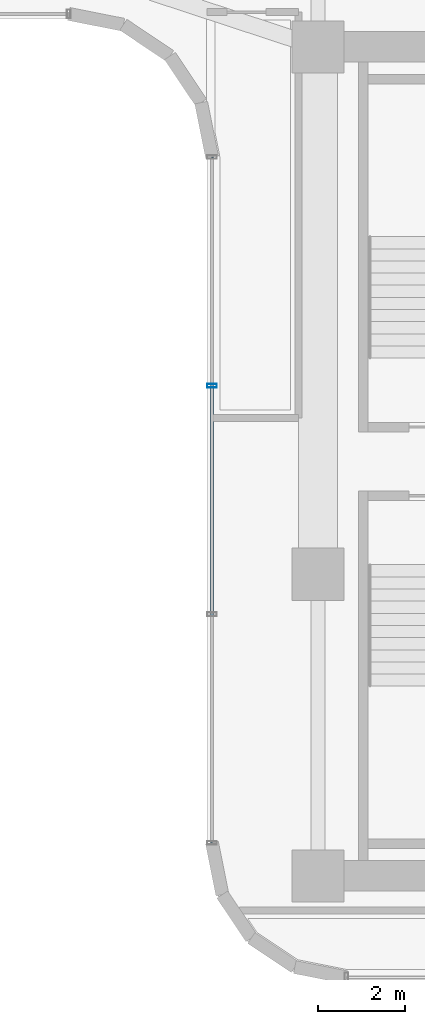
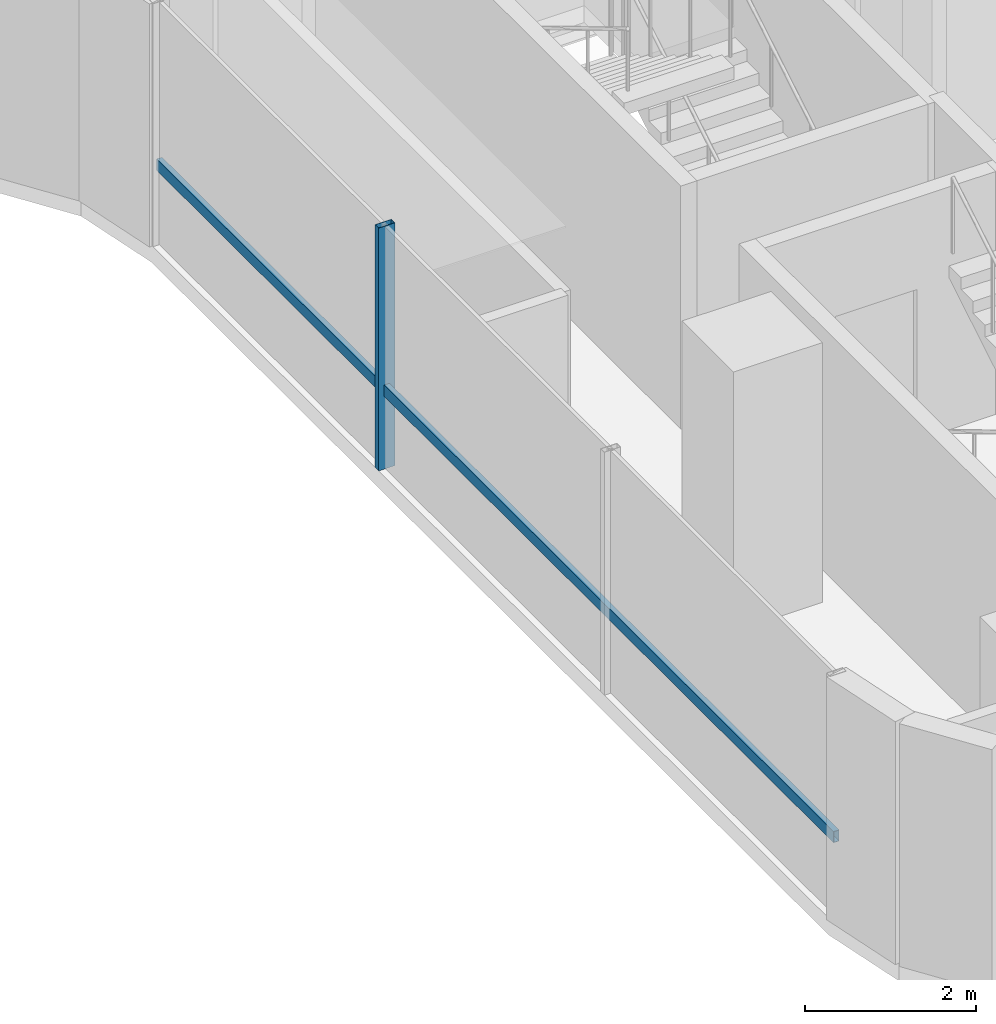
# One storey, part 13 of 35: 2 members, 1 element without a shape of its own.
"""IFC4 building model written with IfcOpenShell, lengths in metres."""

from ifc_helpers import new_model, si_unit, direction, frame, origin, origin_2d, place, context, subcontext, project, spatial, hollow_rectangle, extrude, source, transform, mapped, material, material_profile, profile_set, type_object, element, aggregate, save


model = new_model("IFC4")

# Units and contexts
model_context = context("Model", 3, precision=1e-05, world=origin(), true_north=direction((0.0, 1.0)))
body_context = subcontext(model_context, "Body", "Model", "MODEL_VIEW")
ifc_project = project(units=[si_unit("LENGTHUNIT", "METRE"), si_unit("AREAUNIT", "SQUARE_METRE"), si_unit("VOLUMEUNIT", "CUBIC_METRE"), si_unit("PLANEANGLEUNIT", "RADIAN"), si_unit("MASSUNIT", "GRAM", prefix="KILO")], contexts=[model_context])

# Site, building, storey
site_placement = place(None, origin())
site = spatial("IfcSite", under=ifc_project, at=site_placement, CompositionType="ELEMENT")
building_placement = place(site_placement, origin())
building = spatial("IfcBuilding", under=site, at=building_placement, Name="Valdorenza Pilgrim Sanctuary Tower", CompositionType="ELEMENT")
storey_placement = place(building_placement, frame((0.0, 0.0, 139.0)))
storey = spatial("IfcBuildingStorey", under=building, at=storey_placement, Name="L35", CompositionType="ELEMENT", Elevation=139.0)

# Curtain wall, members
ifc_material_1 = material(Name="Curtain-wall IGU glazing", Category="glass")
curtain_wall_type = type_object("IfcCurtainWallType", Name="CW-SYS-03", PredefinedType="NOTDEFINED", material=ifc_material_1)
curtain_wall_placement = place(storey_placement, origin())
curtain_wall = element("IfcCurtainWall", 1, at=curtain_wall_placement, inside=storey, type_object=curtain_wall_type, Name="L35 Curtain Wall CW-L35-1-31", PredefinedType="NOTDEFINED")
ifc_material_2 = material(Name="Anodised aluminium AW-6060", Category="aluminium")
ifc_material_profile_1 = material_profile(ifc_material_2, hollow_rectangle(XDim=0.0849609375, YDim=0.219970703125, WallThickness=0.0048828125, at=origin_2d()), Name="ALU-M 220x85x5")
ifc_profile_set_1 = profile_set([ifc_material_profile_1], Name="Anodised aluminium AW-6060")
member_type_1 = type_object("IfcMemberType", Name="CW-MUL-03", PredefinedType="MULLION", material=ifc_profile_set_1)
shared_shape_1 = source(origin(), body_context, "Body", "SweptSolid", [
    extrude(hollow_rectangle(XDim=0.0849609375, YDim=0.219970703125, WallThickness=0.0048828125, at=origin_2d()), origin(), (0.0, 0.0, 1.0), 3.4599609375),
])
member_1_placement = place(storey_placement, frame((13.409912109375, 1.744140625, 0.0), z_axis=(0.0, 0.0, 1.0), x_axis=(0.0, 1.0, 0.0)))
member_1 = element("IfcMember", 2, at=member_1_placement, type_object=member_type_1, Name="CW-L35-1-31 Mullion 3", PredefinedType="MULLION", context=body_context, shape_type="MappedRepresentation", body=[
    mapped(shared_shape_1, transform((0.0, 0.0, 0.0), x_axis=(1.0, 0.0, 0.0), y_axis=(0.0, 1.0, 0.0), z_axis=(0.0, 0.0, 1.0), scale=1.0)),
])
ifc_material_profile_2 = material_profile(ifc_material_2, hollow_rectangle(XDim=0.074951171875, YDim=0.159912109375, WallThickness=0.00390625, at=origin_2d()), Name="ALU-T 160x75x4")
ifc_profile_set_2 = profile_set([ifc_material_profile_2], Name="Anodised aluminium AW-6060")
member_type_2 = type_object("IfcMemberType", Name="CW-TRN-03", PredefinedType="USERDEFINED", material=ifc_profile_set_2)
shared_shape_2 = source(origin(), body_context, "Body", "SweptSolid", [
    extrude(hollow_rectangle(XDim=0.074951171875, YDim=0.159912109375, WallThickness=0.00390625, at=origin_2d()), origin(), (0.0, 0.0, 1.0), 15.800048828125),
])
member_2_placement = place(storey_placement, frame((13.409912109375, -8.789306640625, 1.1201171875), z_axis=(0.0, 1.0, 0.0), x_axis=(-1.0, 0.0, 0.0)))
member_2 = element("IfcMember", 3, at=member_2_placement, type_object=member_type_2, Name="CW-L35-1-31 Transom 1", ObjectType="TRANSOM", PredefinedType="USERDEFINED", context=body_context, shape_type="MappedRepresentation", body=[
    mapped(shared_shape_2, transform((0.0, 0.0, 0.0), x_axis=(1.0, 0.0, 0.0), y_axis=(0.0, 1.0, 0.0), z_axis=(0.0, 0.0, 1.0), scale=1.0)),
])
aggregate(curtain_wall, [member_1, member_2])

save(model, "model.ifc")
